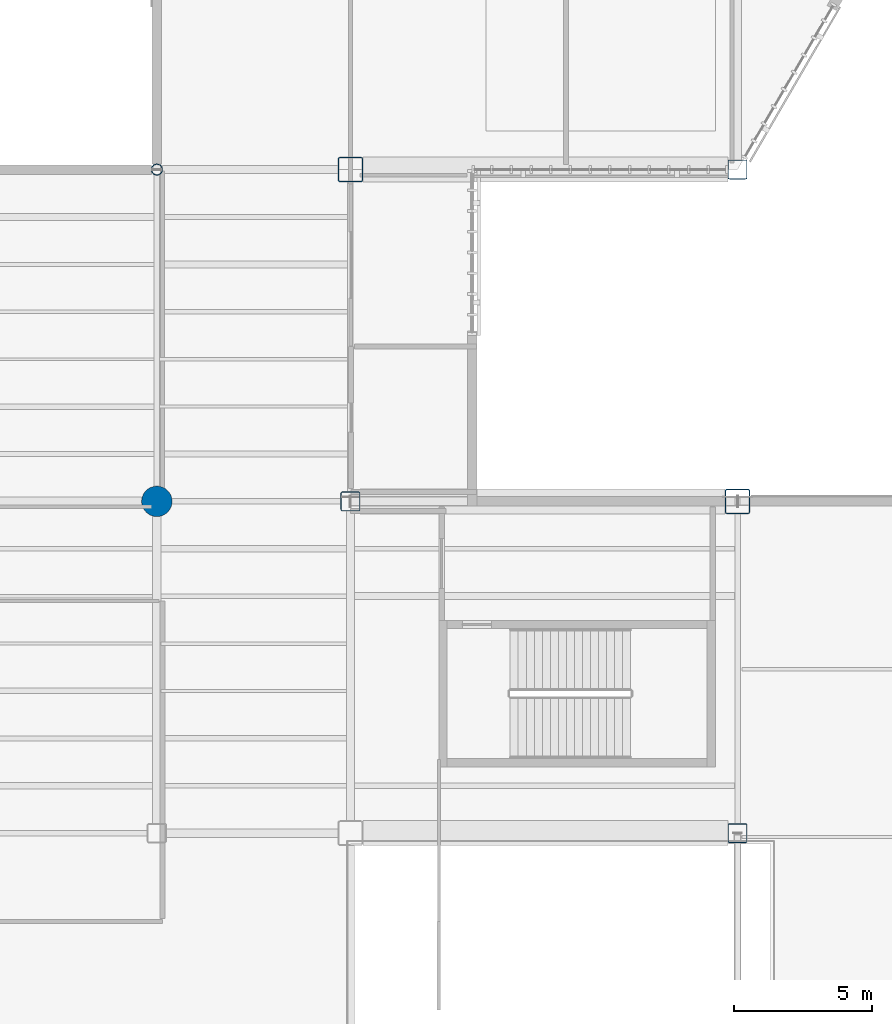
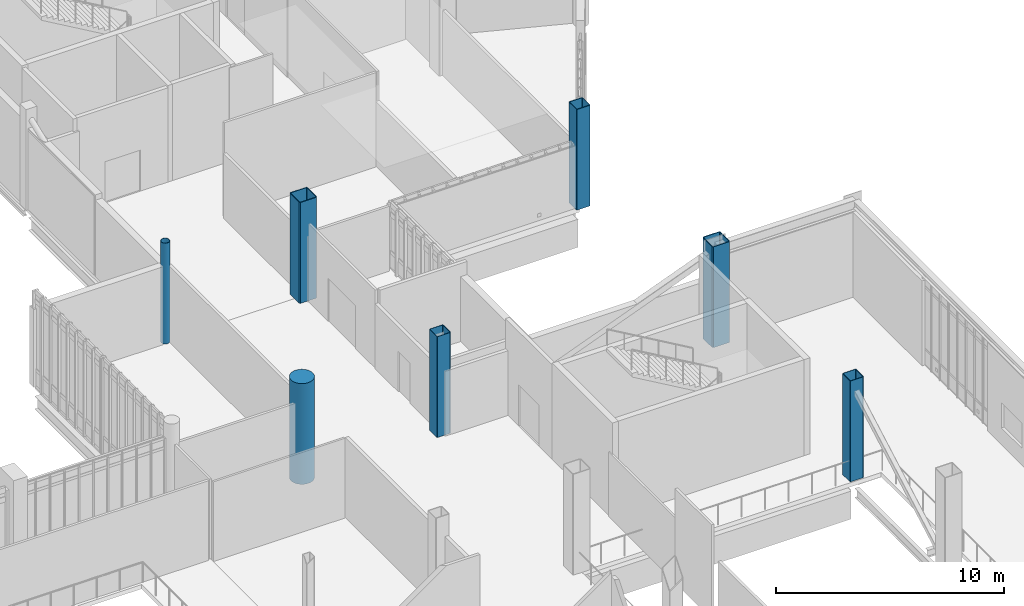
# One storey, part 8 of 127: 7 columns.
"""IFC4 building model written with IfcOpenShell, lengths in metres."""

from ifc_helpers import new_model, si_unit, direction, frame, origin, origin_2d, place, context, subcontext, project, spatial, hollow_rectangle, circle, hollow_circle, extrude, material, material_profile, profile_set, type_object, element, save


model = new_model("IFC4")

# Units and contexts
model_context = context("Model", 3, precision=1e-05, world=origin(), true_north=direction((0.0, 1.0)))
body_context = subcontext(model_context, "Body", "Model", "MODEL_VIEW")
ifc_project = project(units=[si_unit("LENGTHUNIT", "METRE"), si_unit("AREAUNIT", "SQUARE_METRE"), si_unit("VOLUMEUNIT", "CUBIC_METRE"), si_unit("PLANEANGLEUNIT", "RADIAN"), si_unit("MASSUNIT", "GRAM", prefix="KILO")], contexts=[model_context])

# Site, building, storey
site_placement = place(None, origin())
site = spatial("IfcSite", under=ifc_project, at=site_placement, CompositionType="ELEMENT")
building_placement = place(site_placement, origin())
building = spatial("IfcBuilding", under=site, at=building_placement, Name="Larkvane Passage Sports Hall", CompositionType="ELEMENT")
storey_placement = place(building_placement, frame((0.0, 0.0, 5.39990234375)))
storey = spatial("IfcBuildingStorey", under=building, at=storey_placement, Name="L01", CompositionType="ELEMENT", Elevation=5.39990234375)

# Columns
ifc_material_1 = material(Name="Concrete C50/60", Category="concrete")
ifc_material_profile_1 = material_profile(ifc_material_1, circle(Radius=0.550048828125, at=origin_2d()), Name="RC-CIR-1100")
ifc_profile_set_1 = profile_set([ifc_material_profile_1], Name="Concrete C50/60")
column_type_1 = type_object("IfcColumnType", Name="COL-CIR-1100", PredefinedType="COLUMN", material=ifc_profile_set_1)
column_1_placement = place(storey_placement, frame((124.60009765625, 51.60009765625, 0.0), z_axis=(0.0, 0.0, 1.0), x_axis=(1.0, 0.0, 0.0)))
element("IfcColumn", 1, at=column_1_placement, inside=storey, type_object=column_type_1, Name="Column 17/G L01", PredefinedType="COLUMN", context=body_context, shape_type="SweptSolid", body=[
    extrude(circle(Radius=0.550048828125, at=origin_2d()), origin(), (0.0, 0.0, 1.0), 5.400146484375),
])
ifc_material_2 = material(Name="Steel S460N", Category="steel")
ifc_material_profile_2 = material_profile(ifc_material_2, hollow_rectangle(XDim=0.699951171875, YDim=0.699951171875, WallThickness=0.028076171875, InnerFilletRadius=0.028076171875, OuterFilletRadius=0.055908203125, at=origin_2d()), Name="BOX-700x700x28")
ifc_profile_set_2 = profile_set([ifc_material_profile_2], Name="Steel S460N")
column_type_2 = type_object("IfcColumnType", Name="COL-STL-BOX700", PredefinedType="COLUMN", material=ifc_profile_set_2)
for number, where, z_axis, x_axis, name in (
    (2, (131.60009765625, 51.60009765625, 0.0), (0.0, 0.0, 1.0), (1.0, 0.0, 0.0), "Column 18/G L01"),
    (3, (145.60009765625, 39.60009765625, 0.0), (0.0, 0.0, 1.0), (1.0, 0.0, 0.0), "Column 19/F L01"),
    (4, (145.60009765625, 63.60009765625, 0.0), (0.0, 0.0, 1.0), (1.0, 0.0, 0.0), "Column 19/H L01"),
):
    element("IfcColumn", number, at=place(storey_placement, frame(where, z_axis=z_axis, x_axis=x_axis)), inside=storey, type_object=column_type_2, Name=name, PredefinedType="COLUMN", context=body_context, shape_type="SweptSolid", body=[
        extrude(hollow_rectangle(XDim=0.699951171875, YDim=0.699951171875, WallThickness=0.028076171875, InnerFilletRadius=0.028076171875, OuterFilletRadius=0.055908203125, at=origin_2d()), origin(), (0.0, 0.0, 1.0), 5.400146484375),
    ])
ifc_material_profile_3 = material_profile(ifc_material_2, hollow_rectangle(XDim=0.89990234375, YDim=0.89990234375, WallThickness=0.035888671875, InnerFilletRadius=0.035888671875, OuterFilletRadius=0.072021484375, at=origin_2d()), Name="BOX-900x900x36")
ifc_profile_set_3 = profile_set([ifc_material_profile_3], Name="Steel S460N")
column_type_3 = type_object("IfcColumnType", Name="COL-STL-BOX900", PredefinedType="COLUMN", material=ifc_profile_set_3)
for number, where, z_axis, x_axis, name in (
    (5, (131.60009765625, 63.60009765625, 0.0), (0.0, 0.0, 1.0), (1.0, 0.0, 0.0), "Column 18/H L01"),
    (6, (145.60009765625, 51.60009765625, 0.0), (0.0, 0.0, 1.0), (1.0, 0.0, 0.0), "Column 19/G L01"),
):
    element("IfcColumn", number, at=place(storey_placement, frame(where, z_axis=z_axis, x_axis=x_axis)), inside=storey, type_object=column_type_3, Name=name, PredefinedType="COLUMN", context=body_context, shape_type="SweptSolid", body=[
        extrude(hollow_rectangle(XDim=0.89990234375, YDim=0.89990234375, WallThickness=0.035888671875, InnerFilletRadius=0.035888671875, OuterFilletRadius=0.072021484375, at=origin_2d()), origin(), (0.0, 0.0, 1.0), 5.400146484375),
    ])
ifc_material_3 = material(Name="Steel S355JR", Category="steel")
ifc_material_profile_4 = material_profile(ifc_material_3, hollow_circle(Radius=0.203125, WallThickness=0.01611328125, at=origin_2d()), Name="CHS-406.4x16.0")
ifc_profile_set_4 = profile_set([ifc_material_profile_4], Name="Steel S355JR")
column_type_4 = type_object("IfcColumnType", Name="COL-STL-CHS406", PredefinedType="COLUMN", material=ifc_profile_set_4)
column_2_placement = place(storey_placement, frame((124.60009765625, 63.60009765625, 0.0), z_axis=(0.0, 0.0, 1.0), x_axis=(1.0, 0.0, 0.0)))
element("IfcColumn", 7, at=column_2_placement, inside=storey, type_object=column_type_4, Name="Column 17/H L01", PredefinedType="COLUMN", context=body_context, shape_type="SweptSolid", body=[
    extrude(hollow_circle(Radius=0.203125, WallThickness=0.01611328125, at=origin_2d()), origin(), (0.0, 0.0, 1.0), 5.400146484375),
])

save(model, "model.ifc")
